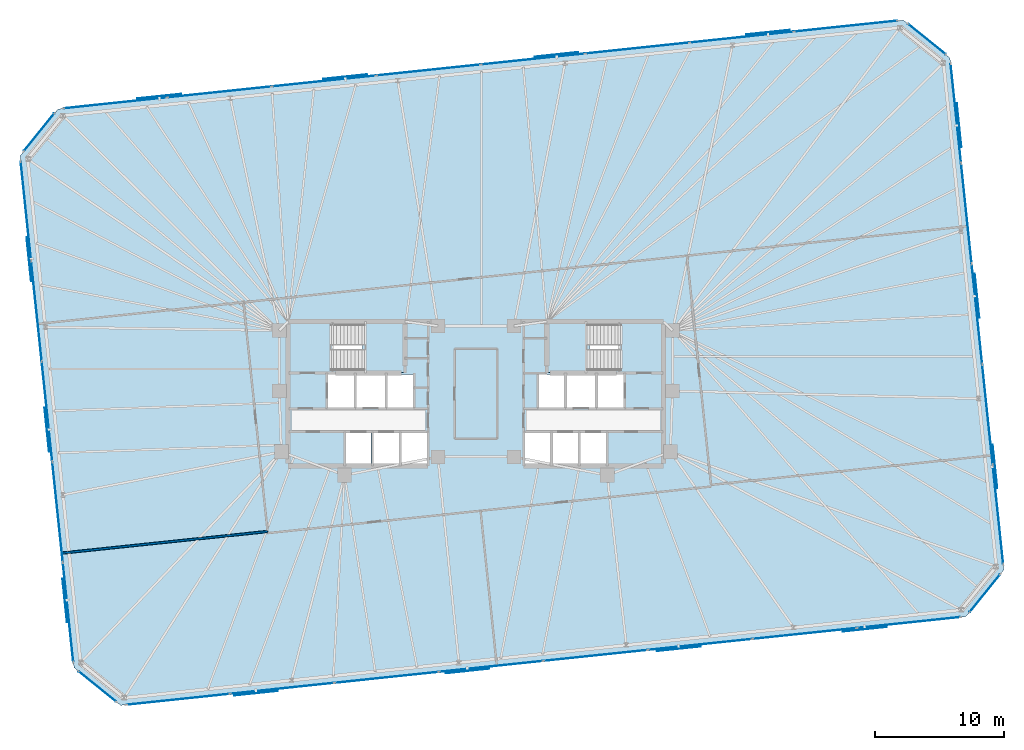
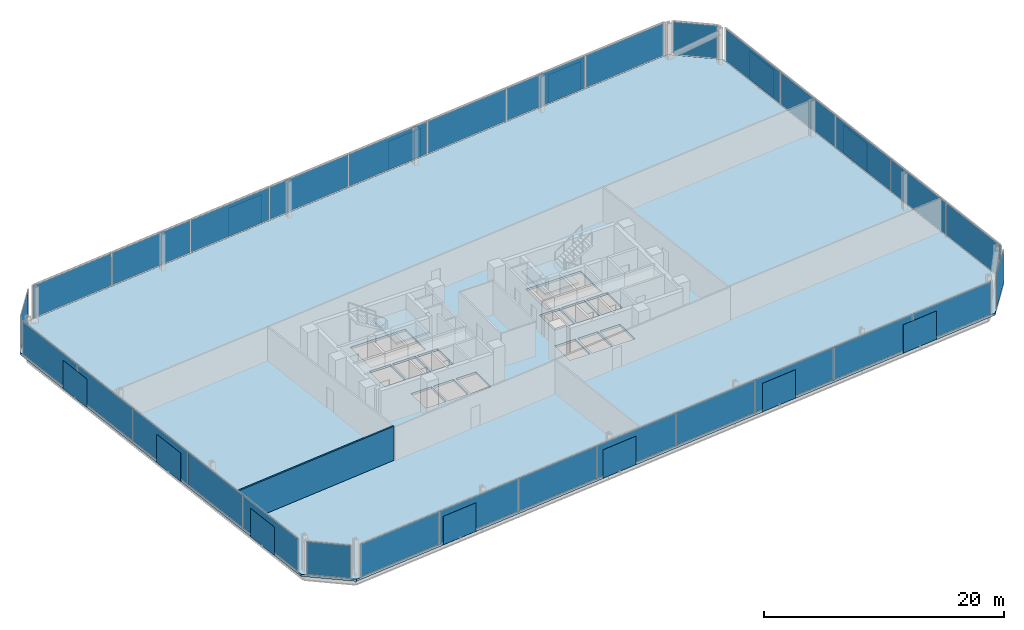
# One storey, part 13 of 17: 44 plates, 3 slabs, 1 wall, 10 elements without a shape of their own.
"""IFC4 building model written with IfcOpenShell, lengths in metres."""

from ifc_helpers import new_model, si_unit, direction, frame, frame_2d, origin, origin_2d, place, context, subcontext, project, spatial, polyline, rectangle, outline, extrude, material, layer, layer_set, type_object, element, aggregate, save


model = new_model("IFC4")

# Units and contexts
model_context = context("Model", 3, precision=1e-05, world=origin(), true_north=direction((0.0, 1.0)))
body_context = subcontext(model_context, "Body", "Model", "MODEL_VIEW")
ifc_project = project(units=[si_unit("LENGTHUNIT", "METRE"), si_unit("AREAUNIT", "SQUARE_METRE"), si_unit("VOLUMEUNIT", "CUBIC_METRE"), si_unit("PLANEANGLEUNIT", "RADIAN"), si_unit("MASSUNIT", "GRAM", prefix="KILO")], contexts=[model_context])

# Site, building, storey
site_placement = place(None, origin())
site = spatial("IfcSite", under=ifc_project, at=site_placement, CompositionType="ELEMENT")
building_placement = place(site_placement, origin())
building = spatial("IfcBuilding", under=site, at=building_placement, Name="Menara Jurai Vektor", CompositionType="ELEMENT")
storey_placement = place(building_placement, frame((0.0, 0.0, 87.39990234375)))
storey = spatial("IfcBuildingStorey", under=building, at=storey_placement, Name="L21", CompositionType="ELEMENT", Elevation=87.39990234375)

# Curtain wall, plates
ifc_material_1 = material(Name="Anodised Pale Aluminium & Low-E Double Glazing", Category="aluminium")
curtain_wall_type = type_object("IfcCurtainWallType", Name="CW-BLK2", PredefinedType="NOTDEFINED", material=ifc_material_1)
curtain_wall_1_placement = place(storey_placement, origin())
curtain_wall_1 = element("IfcCurtainWall", 1, at=curtain_wall_1_placement, inside=storey, type_object=curtain_wall_type, Name="Unitised Curtain Wall L21 F01", PredefinedType="NOTDEFINED")
ifc_material_2 = material(Name="Low-E Solar-Control Double Glazed Unit", Category="glass")
ifc_layer_1 = layer(ifc_material_2, 0.033935546875)
ifc_layer_set_1 = layer_set([ifc_layer_1], Name="Low-E Solar-Control Double Glazed Unit")
plate_type_1 = type_object("IfcPlateType", Name="CW-BLK2-PNL", PredefinedType="CURTAIN_PANEL", material=ifc_layer_set_1)
plate_1_placement = place(storey_placement, frame((-23.090087890625, -23.69921875, 0.090087890625), z_axis=(0.0, 0.0, 1.0), x_axis=(0.994521877325, 0.104528634935, 0.0)))
plate_1 = element("IfcPlate", 2, at=plate_1_placement, type_object=plate_type_1, Name="CW-02 panel 1.1", PredefinedType="CURTAIN_PANEL", context=body_context, shape_type="SweptSolid", body=[
    extrude(rectangle(XDim=8.007568359375, YDim=0.033935546875, at=origin_2d()), origin(), (0.0, 0.0, 1.0), 3.294921875),
])
plate_2_placement = place(storey_placement, frame((-15.014404296875, -22.850341796875, 0.090087890625), z_axis=(0.0, 0.0, 1.0), x_axis=(0.994521877325, 0.104528634935, 0.0)))
plate_2 = element("IfcPlate", 3, at=plate_2_placement, type_object=plate_type_1, Name="CW-02 panel 2.1", PredefinedType="CURTAIN_PANEL", context=body_context, shape_type="SweptSolid", body=[
    extrude(rectangle(XDim=8.052490234375, YDim=0.033935546875, at=origin_2d()), origin(), (0.0, 0.0, 1.0), 3.294921875),
])
plate_3_placement = place(storey_placement, frame((-6.91650390625, -21.999267578125, 0.090087890625), z_axis=(0.0, 0.0, 1.0), x_axis=(0.994521877325, 0.104528634935, 0.0)))
plate_3 = element("IfcPlate", 4, at=plate_3_placement, type_object=plate_type_1, Name="CW-02 panel 3.1", PredefinedType="CURTAIN_PANEL", context=body_context, shape_type="SweptSolid", body=[
    extrude(rectangle(XDim=8.052490234375, YDim=0.033935546875, at=origin_2d()), origin(), (0.0, 0.0, 1.0), 3.294921875),
])
plate_4_placement = place(storey_placement, frame((1.181396484375, -21.148193359375, 0.090087890625), z_axis=(0.0, 0.0, 1.0), x_axis=(0.994521877325, 0.104528634935, 0.0)))
plate_4 = element("IfcPlate", 5, at=plate_4_placement, type_object=plate_type_1, Name="CW-02 panel 4.1", PredefinedType="CURTAIN_PANEL", context=body_context, shape_type="SweptSolid", body=[
    extrude(rectangle(XDim=8.052490234375, YDim=0.033935546875, at=origin_2d()), origin(), (0.0, 0.0, 1.0), 3.294921875),
])
plate_5_placement = place(storey_placement, frame((9.279296875, -20.297119140625, 0.090087890625), z_axis=(0.0, 0.0, 1.0), x_axis=(0.994521877325, 0.104528634935, 0.0)))
plate_5 = element("IfcPlate", 6, at=plate_5_placement, type_object=plate_type_1, Name="CW-02 panel 5.1", PredefinedType="CURTAIN_PANEL", context=body_context, shape_type="SweptSolid", body=[
    extrude(rectangle(XDim=8.052490234375, YDim=0.033935546875, at=origin_2d()), origin(), (0.0, 0.0, 1.0), 3.294921875),
])
plate_6_placement = place(storey_placement, frame((17.377197265625, -19.44580078125, 0.090087890625), z_axis=(0.0, 0.0, 1.0), x_axis=(0.994521877325, 0.104528634935, 0.0)))
plate_6 = element("IfcPlate", 7, at=plate_6_placement, type_object=plate_type_1, Name="CW-02 panel 6.1", PredefinedType="CURTAIN_PANEL", context=body_context, shape_type="SweptSolid", body=[
    extrude(rectangle(XDim=8.052490234375, YDim=0.033935546875, at=origin_2d()), origin(), (0.0, 0.0, 1.0), 3.294921875),
])
plate_7_placement = place(storey_placement, frame((25.47509765625, -18.5947265625, 0.090087890625), z_axis=(0.0, 0.0, 1.0), x_axis=(0.994521877325, 0.104528634935, 0.0)))
plate_7 = element("IfcPlate", 8, at=plate_7_placement, type_object=plate_type_1, Name="CW-02 panel 7.1", PredefinedType="CURTAIN_PANEL", context=body_context, shape_type="SweptSolid", body=[
    extrude(rectangle(XDim=8.052490234375, YDim=0.033935546875, at=origin_2d()), origin(), (0.0, 0.0, 1.0), 3.294921875),
])
plate_8_placement = place(storey_placement, frame((33.550537109375, -17.74609375, 0.090087890625), z_axis=(0.0, 0.0, 1.0), x_axis=(0.994521877325, 0.104528634935, 0.0)))
plate_8 = element("IfcPlate", 9, at=plate_8_placement, type_object=plate_type_1, Name="CW-02 panel 8.1", PredefinedType="CURTAIN_PANEL", context=body_context, shape_type="SweptSolid", body=[
    extrude(rectangle(XDim=8.007568359375, YDim=0.033935546875, at=origin_2d()), origin(), (0.0, 0.0, 1.0), 3.294921875),
])
aggregate(curtain_wall_1, [plate_1, plate_2, plate_3, plate_4, plate_5, plate_6, plate_7, plate_8])

curtain_wall_2_placement = place(storey_placement, origin())
curtain_wall_2 = element("IfcCurtainWall", 10, at=curtain_wall_2_placement, inside=storey, type_object=curtain_wall_type, Name="Unitised Curtain Wall L21 F03", PredefinedType="NOTDEFINED")
plate_9_placement = place(storey_placement, frame((40.485595703125, -9.358642578125, 0.090087890625), z_axis=(0.0, 0.0, 1.0), x_axis=(-0.104529576902, 0.99452177832, 0.0)))
plate_9 = element("IfcPlate", 11, at=plate_9_placement, type_object=plate_type_1, Name="CW-02 panel 1.1", PredefinedType="CURTAIN_PANEL", context=body_context, shape_type="SweptSolid", body=[
    extrude(rectangle(XDim=7.693115234375, YDim=0.033935546875, at=origin_2d()), origin(), (0.0, 0.0, 1.0), 3.294921875),
])
plate_10_placement = place(storey_placement, frame((39.669677734375, -1.595947265625, 0.090087890625), z_axis=(0.0, 0.0, 1.0), x_axis=(-0.104529576902, 0.99452177832, 0.0)))
plate_10 = element("IfcPlate", 12, at=plate_10_placement, type_object=plate_type_1, Name="CW-02 panel 2.1", PredefinedType="CURTAIN_PANEL", context=body_context, shape_type="SweptSolid", body=[
    extrude(rectangle(XDim=7.738037109375, YDim=0.033935546875, at=origin_2d()), origin(), (0.0, 0.0, 1.0), 3.294921875),
])
plate_11_placement = place(storey_placement, frame((38.8515625, 6.189208984375, 0.090087890625), z_axis=(0.0, 0.0, 1.0), x_axis=(-0.104529576902, 0.99452177832, 0.0)))
plate_11 = element("IfcPlate", 13, at=plate_11_placement, type_object=plate_type_1, Name="CW-02 panel 3.1", PredefinedType="CURTAIN_PANEL", context=body_context, shape_type="SweptSolid", body=[
    extrude(rectangle(XDim=7.738037109375, YDim=0.033935546875, at=origin_2d()), origin(), (0.0, 0.0, 1.0), 3.294921875),
])
plate_12_placement = place(storey_placement, frame((38.033203125, 13.974365234375, 0.090087890625), z_axis=(0.0, 0.0, 1.0), x_axis=(-0.104529576902, 0.99452177832, 0.0)))
plate_12 = element("IfcPlate", 14, at=plate_12_placement, type_object=plate_type_1, Name="CW-02 panel 4.1", PredefinedType="CURTAIN_PANEL", context=body_context, shape_type="SweptSolid", body=[
    extrude(rectangle(XDim=7.738037109375, YDim=0.033935546875, at=origin_2d()), origin(), (0.0, 0.0, 1.0), 3.294921875),
])
plate_13_placement = place(storey_placement, frame((37.21728515625, 21.737060546875, 0.090087890625), z_axis=(0.0, 0.0, 1.0), x_axis=(-0.104529576902, 0.99452177832, 0.0)))
plate_13 = element("IfcPlate", 15, at=plate_13_placement, type_object=plate_type_1, Name="CW-02 panel 5.1", PredefinedType="CURTAIN_PANEL", context=body_context, shape_type="SweptSolid", body=[
    extrude(rectangle(XDim=7.693115234375, YDim=0.033935546875, at=origin_2d()), origin(), (0.0, 0.0, 1.0), 3.294921875),
])
aggregate(curtain_wall_2, [plate_9, plate_10, plate_11, plate_12, plate_13])

curtain_wall_3_placement = place(storey_placement, origin())
curtain_wall_3 = element("IfcCurtainWall", 16, at=curtain_wall_3_placement, inside=storey, type_object=curtain_wall_type, Name="Unitised Curtain Wall L21 F05", PredefinedType="NOTDEFINED")
plate_14_placement = place(storey_placement, frame((28.68994140625, 28.499267578125, 0.090087890625), z_axis=(0.0, 0.0, 1.0), x_axis=(-0.994521877325, -0.104528634935, 0.0)))
plate_14 = element("IfcPlate", 17, at=plate_14_placement, type_object=plate_type_1, Name="CW-02 panel 1.1", PredefinedType="CURTAIN_PANEL", context=body_context, shape_type="SweptSolid", body=[
    extrude(rectangle(XDim=8.007568359375, YDim=0.033935546875, at=origin_2d()), origin(), (0.0, 0.0, 1.0), 3.294921875),
])
plate_15_placement = place(storey_placement, frame((20.614501953125, 27.650390625, 0.090087890625), z_axis=(0.0, 0.0, 1.0), x_axis=(-0.994521877325, -0.104528634935, 0.0)))
plate_15 = element("IfcPlate", 18, at=plate_15_placement, type_object=plate_type_1, Name="CW-02 panel 2.1", PredefinedType="CURTAIN_PANEL", context=body_context, shape_type="SweptSolid", body=[
    extrude(rectangle(XDim=8.052490234375, YDim=0.033935546875, at=origin_2d()), origin(), (0.0, 0.0, 1.0), 3.294921875),
])
plate_16_placement = place(storey_placement, frame((12.5166015625, 26.79931640625, 0.090087890625), z_axis=(0.0, 0.0, 1.0), x_axis=(-0.994521877325, -0.104528634935, 0.0)))
plate_16 = element("IfcPlate", 19, at=plate_16_placement, type_object=plate_type_1, Name="CW-02 panel 3.1", PredefinedType="CURTAIN_PANEL", context=body_context, shape_type="SweptSolid", body=[
    extrude(rectangle(XDim=8.052490234375, YDim=0.033935546875, at=origin_2d()), origin(), (0.0, 0.0, 1.0), 3.294921875),
])
plate_17_placement = place(storey_placement, frame((4.418701171875, 25.9482421875, 0.090087890625), z_axis=(0.0, 0.0, 1.0), x_axis=(-0.994521877325, -0.104528634935, 0.0)))
plate_17 = element("IfcPlate", 20, at=plate_17_placement, type_object=plate_type_1, Name="CW-02 panel 4.1", PredefinedType="CURTAIN_PANEL", context=body_context, shape_type="SweptSolid", body=[
    extrude(rectangle(XDim=8.052490234375, YDim=0.033935546875, at=origin_2d()), origin(), (0.0, 0.0, 1.0), 3.294921875),
])
plate_18_placement = place(storey_placement, frame((-3.67919921875, 25.096923828125, 0.090087890625), z_axis=(0.0, 0.0, 1.0), x_axis=(-0.994521877325, -0.104528634935, 0.0)))
plate_18 = element("IfcPlate", 21, at=plate_18_placement, type_object=plate_type_1, Name="CW-02 panel 5.1", PredefinedType="CURTAIN_PANEL", context=body_context, shape_type="SweptSolid", body=[
    extrude(rectangle(XDim=8.052490234375, YDim=0.033935546875, at=origin_2d()), origin(), (0.0, 0.0, 1.0), 3.294921875),
])
plate_19_placement = place(storey_placement, frame((-11.777099609375, 24.245849609375, 0.090087890625), z_axis=(0.0, 0.0, 1.0), x_axis=(-0.994521877325, -0.104528634935, 0.0)))
plate_19 = element("IfcPlate", 22, at=plate_19_placement, type_object=plate_type_1, Name="CW-02 panel 6.1", PredefinedType="CURTAIN_PANEL", context=body_context, shape_type="SweptSolid", body=[
    extrude(rectangle(XDim=8.052490234375, YDim=0.033935546875, at=origin_2d()), origin(), (0.0, 0.0, 1.0), 3.294921875),
])
plate_20_placement = place(storey_placement, frame((-19.875, 23.394775390625, 0.090087890625), z_axis=(0.0, 0.0, 1.0), x_axis=(-0.994521877325, -0.104528634935, 0.0)))
plate_20 = element("IfcPlate", 23, at=plate_20_placement, type_object=plate_type_1, Name="CW-02 panel 7.1", PredefinedType="CURTAIN_PANEL", context=body_context, shape_type="SweptSolid", body=[
    extrude(rectangle(XDim=8.052490234375, YDim=0.033935546875, at=origin_2d()), origin(), (0.0, 0.0, 1.0), 3.294921875),
])
plate_21_placement = place(storey_placement, frame((-27.95068359375, 22.5458984375, 0.090087890625), z_axis=(0.0, 0.0, 1.0), x_axis=(-0.994521877325, -0.104528634935, 0.0)))
plate_21 = element("IfcPlate", 24, at=plate_21_placement, type_object=plate_type_1, Name="CW-02 panel 8.1", PredefinedType="CURTAIN_PANEL", context=body_context, shape_type="SweptSolid", body=[
    extrude(rectangle(XDim=8.007568359375, YDim=0.033935546875, at=origin_2d()), origin(), (0.0, 0.0, 1.0), 3.294921875),
])
aggregate(curtain_wall_3, [plate_14, plate_15, plate_16, plate_17, plate_18, plate_19, plate_20, plate_21])

curtain_wall_4_placement = place(storey_placement, origin())
curtain_wall_4 = element("IfcCurtainWall", 25, at=curtain_wall_4_placement, inside=storey, type_object=curtain_wall_type, Name="Unitised Curtain Wall L21 F07", PredefinedType="NOTDEFINED")
plate_22_placement = place(storey_placement, frame((-34.885498046875, 14.15869140625, 0.090087890625), z_axis=(0.0, 0.0, 1.0), x_axis=(0.104529576902, -0.99452177832, 0.0)))
plate_22 = element("IfcPlate", 26, at=plate_22_placement, type_object=plate_type_1, Name="CW-02 panel 1.1", PredefinedType="CURTAIN_PANEL", context=body_context, shape_type="SweptSolid", body=[
    extrude(rectangle(XDim=7.693115234375, YDim=0.033935546875, at=origin_2d()), origin(), (0.0, 0.0, 1.0), 3.294921875),
])
plate_23_placement = place(storey_placement, frame((-34.06982421875, 6.39599609375, 0.090087890625), z_axis=(0.0, 0.0, 1.0), x_axis=(0.104529576902, -0.99452177832, 0.0)))
plate_23 = element("IfcPlate", 27, at=plate_23_placement, type_object=plate_type_1, Name="CW-02 panel 2.1", PredefinedType="CURTAIN_PANEL", context=body_context, shape_type="SweptSolid", body=[
    extrude(rectangle(XDim=7.738037109375, YDim=0.033935546875, at=origin_2d()), origin(), (0.0, 0.0, 1.0), 3.294921875),
])
plate_24_placement = place(storey_placement, frame((-33.25146484375, -1.38916015625, 0.090087890625), z_axis=(0.0, 0.0, 1.0), x_axis=(0.104529576902, -0.99452177832, 0.0)))
plate_24 = element("IfcPlate", 28, at=plate_24_placement, type_object=plate_type_1, Name="CW-02 panel 3.1", PredefinedType="CURTAIN_PANEL", context=body_context, shape_type="SweptSolid", body=[
    extrude(rectangle(XDim=7.738037109375, YDim=0.033935546875, at=origin_2d()), origin(), (0.0, 0.0, 1.0), 3.294921875),
])
plate_25_placement = place(storey_placement, frame((-32.43310546875, -9.17431640625, 0.090087890625), z_axis=(0.0, 0.0, 1.0), x_axis=(0.104529576902, -0.99452177832, 0.0)))
plate_25 = element("IfcPlate", 29, at=plate_25_placement, type_object=plate_type_1, Name="CW-02 panel 4.1", PredefinedType="CURTAIN_PANEL", context=body_context, shape_type="SweptSolid", body=[
    extrude(rectangle(XDim=7.738037109375, YDim=0.033935546875, at=origin_2d()), origin(), (0.0, 0.0, 1.0), 3.294921875),
])
plate_26_placement = place(storey_placement, frame((-31.6171875, -16.93701171875, 0.090087890625), z_axis=(0.0, 0.0, 1.0), x_axis=(0.104529576902, -0.99452177832, 0.0)))
plate_26 = element("IfcPlate", 30, at=plate_26_placement, type_object=plate_type_1, Name="CW-02 panel 5.1", PredefinedType="CURTAIN_PANEL", context=body_context, shape_type="SweptSolid", body=[
    extrude(rectangle(XDim=7.693115234375, YDim=0.033935546875, at=origin_2d()), origin(), (0.0, 0.0, 1.0), 3.294921875),
])
aggregate(curtain_wall_4, [plate_22, plate_23, plate_24, plate_25, plate_26])

# Curtain wall, plate
curtain_wall_5_placement = place(storey_placement, origin())
curtain_wall_5 = element("IfcCurtainWall", 31, at=curtain_wall_5_placement, inside=storey, type_object=curtain_wall_type, Name="Unitised Curtain Wall L21 F02", PredefinedType="NOTDEFINED")
ifc_material_3 = material(Name="Insulated Pale Aluminium Spandrel Panel", Category="aluminium")
ifc_layer_2 = layer(ifc_material_3, 0.06005859375)
ifc_layer_set_2 = layer_set([ifc_layer_2], Name="Insulated Pale Aluminium Spandrel Panel")
plate_type_2 = type_object("IfcPlateType", Name="CW-PNL-SP", PredefinedType="CURTAIN_PANEL", material=ifc_layer_set_2)
plate_27_placement = place(storey_placement, frame((39.46826171875, -15.465087890625, 0.090087890625), z_axis=(0.0, 0.0, 1.0), x_axis=(0.62934106172, 0.777129222223, 0.0)))
plate_27 = element("IfcPlate", 32, at=plate_27_placement, type_object=plate_type_2, Name="CW-02 panel 1.1", PredefinedType="CURTAIN_PANEL", context=body_context, shape_type="SweptSolid", body=[
    extrude(rectangle(XDim=3.72705078125, YDim=0.06005859375, at=origin_2d()), origin(), (0.0, 0.0, 1.0), 3.294921875),
])
aggregate(curtain_wall_5, [plate_27])

curtain_wall_6_placement = place(storey_placement, origin())
curtain_wall_6 = element("IfcCurtainWall", 33, at=curtain_wall_6_placement, inside=storey, type_object=curtain_wall_type, Name="Unitised Curtain Wall L21 F04", PredefinedType="NOTDEFINED")
plate_28_placement = place(storey_placement, frame((34.95263671875, 27.498291015625, 0.090087890625), z_axis=(0.0, 0.0, 1.0), x_axis=(-0.777151877437, 0.629313085353, 0.0)))
plate_28 = element("IfcPlate", 34, at=plate_28_placement, type_object=plate_type_2, Name="CW-02 panel 1.1", PredefinedType="CURTAIN_PANEL", context=body_context, shape_type="SweptSolid", body=[
    extrude(rectangle(XDim=3.72705078125, YDim=0.06005859375, at=origin_2d()), origin(), (0.0, 0.0, 1.0), 3.294921875),
])
aggregate(curtain_wall_6, [plate_28])

curtain_wall_7_placement = place(storey_placement, origin())
curtain_wall_7 = element("IfcCurtainWall", 35, at=curtain_wall_7_placement, inside=storey, type_object=curtain_wall_type, Name="Unitised Curtain Wall L21 F06", PredefinedType="NOTDEFINED")
plate_29_placement = place(storey_placement, frame((-33.868408203125, 20.264892578125, 0.090087890625), z_axis=(0.0, 0.0, 1.0), x_axis=(-0.62934106172, -0.777129222223, 0.0)))
plate_29 = element("IfcPlate", 36, at=plate_29_placement, type_object=plate_type_2, Name="CW-02 panel 1.1", PredefinedType="CURTAIN_PANEL", context=body_context, shape_type="SweptSolid", body=[
    extrude(rectangle(XDim=3.72705078125, YDim=0.06005859375, at=origin_2d()), origin(), (0.0, 0.0, 1.0), 3.294921875),
])
aggregate(curtain_wall_7, [plate_29])

curtain_wall_8_placement = place(storey_placement, origin())
curtain_wall_8 = element("IfcCurtainWall", 37, at=curtain_wall_8_placement, inside=storey, type_object=curtain_wall_type, Name="Unitised Curtain Wall L21 F08", PredefinedType="NOTDEFINED")
plate_30_placement = place(storey_placement, frame((-29.3525390625, -22.6982421875, 0.090087890625), z_axis=(0.0, 0.0, 1.0), x_axis=(0.777151877437, -0.629313085353, 0.0)))
plate_30 = element("IfcPlate", 38, at=plate_30_placement, type_object=plate_type_2, Name="CW-02 panel 1.1", PredefinedType="CURTAIN_PANEL", context=body_context, shape_type="SweptSolid", body=[
    extrude(rectangle(XDim=3.72705078125, YDim=0.06005859375, at=origin_2d()), origin(), (0.0, 0.0, 1.0), 3.294921875),
])
aggregate(curtain_wall_8, [plate_30])

# Plates
ifc_material_4 = material(Name="Anodised Pale Aluminium Perforated Screen", Category="aluminium")
ifc_layer_3 = layer(ifc_material_4, 0.02392578125)
ifc_layer_set_3 = layer_set([ifc_layer_3], Name="Anodised Pale Aluminium Perforated Screen")
plate_type_3 = type_object("IfcPlateType", Name="ENV-PLT-SCREEN", PredefinedType="USERDEFINED", material=ifc_layer_set_3)
for number, where, z_axis, x_axis, name in (
    (39, (-17.0361328125, -23.223876953125, -0.0498046875), (0.0, 0.0, 1.0), (0.994521895368, 0.104528463268, 0.0), "Perforated Pale-Metal Solar Screen L21-S01"),
    (40, (-0.651611328125, -21.501708984375, -0.0498046875), (0.0, 0.0, 1.0), (0.994521895368, 0.104528463268, 0.0), "Perforated Pale-Metal Solar Screen L21-S02"),
    (41, (15.7333984375, -19.779541015625, -0.0498046875), (0.0, 0.0, 1.0), (0.994521895368, 0.104528463268, 0.0), "Perforated Pale-Metal Solar Screen L21-S03"),
    (42, (30.15185546875, -18.26416015625, -0.0498046875), (0.0, 0.0, 1.0), (0.994521895368, 0.104528463268, 0.0), "Perforated Pale-Metal Solar Screen L21-S04"),
    (43, (40.2548828125, -5.63232421875, -0.0498046875), (0.0, 0.0, 1.0), (-0.104528463268, 0.994521895368, 0.0), "Perforated Pale-Metal Solar Screen L21-S05"),
    (44, (38.864501953125, 7.5947265625, -0.0498046875), (0.0, 0.0, 1.0), (-0.104528463268, 0.994521895368, 0.0), "Perforated Pale-Metal Solar Screen L21-S06"),
    (45, (37.474365234375, 20.822021484375, -0.0498046875), (0.0, 0.0, 1.0), (-0.104528463268, 0.994521895368, 0.0), "Perforated Pale-Metal Solar Screen L21-S07"),
    (46, (22.63623046875, 28.023681640625, -0.0498046875), (0.0, 0.0, 1.0), (-0.994521895368, -0.104528463268, 0.0), "Perforated Pale-Metal Solar Screen L21-S08"),
    (47, (6.25146484375, 26.3017578125, -0.0498046875), (0.0, 0.0, 1.0), (-0.994521895368, -0.104528463268, 0.0), "Perforated Pale-Metal Solar Screen L21-S09"),
    (48, (-10.13330078125, 24.57958984375, -0.0498046875), (0.0, 0.0, 1.0), (-0.994521895368, -0.104528463268, 0.0), "Perforated Pale-Metal Solar Screen L21-S10"),
    (49, (-24.5517578125, 23.064208984375, -0.0498046875), (0.0, 0.0, 1.0), (-0.994521895368, -0.104528463268, 0.0), "Perforated Pale-Metal Solar Screen L21-S11"),
    (50, (-34.65478515625, 10.432373046875, -0.0498046875), (0.0, 0.0, 1.0), (0.104528463268, -0.994521895368, 0.0), "Perforated Pale-Metal Solar Screen L21-S12"),
    (51, (-33.2646484375, -2.794677734375, -0.0498046875), (0.0, 0.0, 1.0), (0.104528463268, -0.994521895368, 0.0), "Perforated Pale-Metal Solar Screen L21-S13"),
    (52, (-31.87451171875, -16.02197265625, -0.0498046875), (0.0, 0.0, 1.0), (0.104528463268, -0.994521895368, 0.0), "Perforated Pale-Metal Solar Screen L21-S14"),
):
    element("IfcPlate", number, at=place(storey_placement, frame(where, z_axis=z_axis, x_axis=x_axis)), inside=storey, type_object=plate_type_3, Name=name, ObjectType="SCREEN", PredefinedType="USERDEFINED", context=body_context, shape_type="SweptSolid", body=[
        extrude(rectangle(XDim=3.39990234375, YDim=0.02392578125, at=origin_2d()), origin(), (0.0, 0.0, 1.0), 2.89990234375),
    ])

# Stair, slab
ifc_material_5 = material(Name="Concrete C40/50", Category="concrete")
stair_type = type_object("IfcStairType", Name="STAIR-DOGLEG-1500", PredefinedType="HALF_TURN_STAIR", material=ifc_material_5)
stair_1_placement = place(storey_placement, origin())
stair_1 = element("IfcStair", 53, at=stair_1_placement, inside=storey, type_object=stair_type, Name="Protected Exit Stair ST1 L21", PredefinedType="HALF_TURN_STAIR")
ifc_layer_4 = layer(ifc_material_5, 0.199951171875)
ifc_layer_set_4 = layer_set([ifc_layer_4], Name="Concrete C40/50")
slab_type_1 = type_object("IfcSlabType", Name="STAIR-LANDING-200", PredefinedType="LANDING", material=ifc_layer_set_4)
slab_1_placement = place(storey_placement, frame((0.0, 0.0, 1.650146484375)))
slab_1 = element("IfcSlab", 54, at=slab_1_placement, type_object=slab_type_1, Name="ST1 landing 1", PredefinedType="LANDING", context=body_context, shape_type="SweptSolid", body=[
    extrude(outline(polyline([(-8.800048828125, 1.64990234375), (-5.550048828125, 1.64990234375), (-5.550048828125, 5.550048828125), (-8.800048828125, 5.550048828125), (-8.800048828125, 1.64990234375)])), origin(), (0.0, 0.0, 1.0), 0.199951171875),
])
aggregate(stair_1, [slab_1])

stair_2_placement = place(storey_placement, origin())
stair_2 = element("IfcStair", 55, at=stair_2_placement, inside=storey, type_object=stair_type, Name="Protected Exit Stair ST2 L21", PredefinedType="HALF_TURN_STAIR")
slab_2_placement = place(storey_placement, frame((0.0, 0.0, 1.650146484375)))
slab_2 = element("IfcSlab", 56, at=slab_2_placement, type_object=slab_type_1, Name="ST2 landing 1", PredefinedType="LANDING", context=body_context, shape_type="SweptSolid", body=[
    extrude(outline(polyline([(5.550048828125, 1.64990234375), (8.800048828125, 1.64990234375), (8.800048828125, 5.550048828125), (5.550048828125, 5.550048828125), (5.550048828125, 1.64990234375)])), origin(), (0.0, 0.0, 1.0), 0.199951171875),
])
aggregate(stair_2, [slab_2])

# Slab
ifc_layer_5 = layer(ifc_material_5, 0.22509765625)
ifc_layer_set_5 = layer_set([ifc_layer_5], Name="Concrete C40/50")
slab_type_2 = type_object("IfcSlabType", Name="STR-SLAB-TYP200", PredefinedType="FLOOR", material=ifc_layer_set_5)
slab_3_placement = place(storey_placement, frame((0.0, 0.0, -0.224853515625)))
element("IfcSlab", 57, at=slab_3_placement, inside=storey, type_object=slab_type_2, Name="Composite Floor Slab L21", PredefinedType="FLOOR", context=body_context, shape_type="SweptSolid", body=[
    extrude(outline(polyline([(-27.539306640625, -24.166748046875), (37.999755859375, -17.2783203125), (40.936767578125, -13.651611328125), (36.76611328125, 26.02978515625), (33.13916015625, 28.966796875), (-32.39990234375, 22.078369140625), (-35.3369140625, 18.45166015625), (-31.166015625, -21.22998046875), (-27.539306640625, -24.166748046875)]), holes=[polyline([(-11.10009765625, 1.89990234375), (-11.10009765625, 5.300048828125), (-5.800048828125, 5.300048828125), (-5.800048828125, 1.89990234375), (-11.10009765625, 1.89990234375)]), polyline([(5.800048828125, 1.89990234375), (5.800048828125, 5.300048828125), (11.10009765625, 5.300048828125), (11.10009765625, 1.89990234375), (5.800048828125, 1.89990234375)]), polyline([(-11.449951171875, -1.050048828125), (-11.449951171875, 1.5), (-9.449951171875, 1.5), (-9.449951171875, -1.050048828125), (-11.449951171875, -1.050048828125)]), polyline([(9.449951171875, -1.050048828125), (9.449951171875, 1.5), (11.449951171875, 1.5), (11.449951171875, -1.050048828125), (9.449951171875, -1.050048828125)]), polyline([(-5.760009765625, -5.5), (-5.760009765625, -3.050048828125), (-3.800048828125, -3.050048828125), (-3.800048828125, -5.5), (-5.760009765625, -5.5)]), polyline([(-6.85009765625, -1.050048828125), (-6.85009765625, 1.5), (-4.889892578125, 1.5), (-4.889892578125, -1.050048828125), (-6.85009765625, -1.050048828125)]), polyline([(3.800048828125, -5.5), (3.800048828125, -3.050048828125), (5.760009765625, -3.050048828125), (5.760009765625, -5.5), (3.800048828125, -5.5)]), polyline([(4.889892578125, -1.050048828125), (4.889892578125, 1.5), (6.85009765625, 1.5), (6.85009765625, -1.050048828125), (4.889892578125, -1.050048828125)]), polyline([(-10.080078125, -5.5), (-10.080078125, -3.050048828125), (-8.1201171875, -3.050048828125), (-8.1201171875, -5.5), (-10.080078125, -5.5)]), polyline([(-7.919921875, -5.5), (-7.919921875, -3.050048828125), (-5.9599609375, -3.050048828125), (-5.9599609375, -5.5), (-7.919921875, -5.5)]), polyline([(5.9599609375, -5.5), (5.9599609375, -3.050048828125), (7.919921875, -3.050048828125), (7.919921875, -5.5), (5.9599609375, -5.5)]), polyline([(8.1201171875, -5.5), (8.1201171875, -3.050048828125), (10.080078125, -3.050048828125), (10.080078125, -5.5), (8.1201171875, -5.5)]), polyline([(-9.25, -1.050048828125), (-9.25, 1.5), (-7.050048828125, 1.5), (-7.050048828125, -1.050048828125), (-9.25, -1.050048828125)]), polyline([(7.050048828125, -1.050048828125), (7.050048828125, 1.5), (9.25, 1.5), (9.25, -1.050048828125), (7.050048828125, -1.050048828125)])]), origin(), (0.0, 0.0, 1.0), 0.224853515625),
])

# Wall
ifc_material_6 = material(Name="Gypsum Fireboard Partition", Category="gypsum")
ifc_layer_6 = layer(ifc_material_6, 0.14990234375)
ifc_layer_set_6 = layer_set([ifc_layer_6], Name="Gypsum Fireboard Partition")
wall_type = type_object("IfcWallType", Name="INT-WALL-CORR-150", PredefinedType="PARTITIONING", material=ifc_layer_set_6)
wall_placement = place(storey_placement, frame((-32.0986328125, -12.357666015625, 0.0), z_axis=(0.0, 0.0, 1.0), x_axis=(0.994522794159, 0.104519911488, 0.0)))
element("IfcWall", 58, at=wall_placement, inside=storey, type_object=wall_type, Name="Interior Wall IW-150 L21", PredefinedType="PARTITIONING", context=body_context, shape_type="SweptSolid", body=[
    extrude(rectangle(XDim=16.033203125, YDim=0.14990234375, at=frame_2d((8.0166015625, 0.0))), origin(), (0.0, 0.0, 1.0), 3.47509765625),
])

save(model, "model.ifc")
